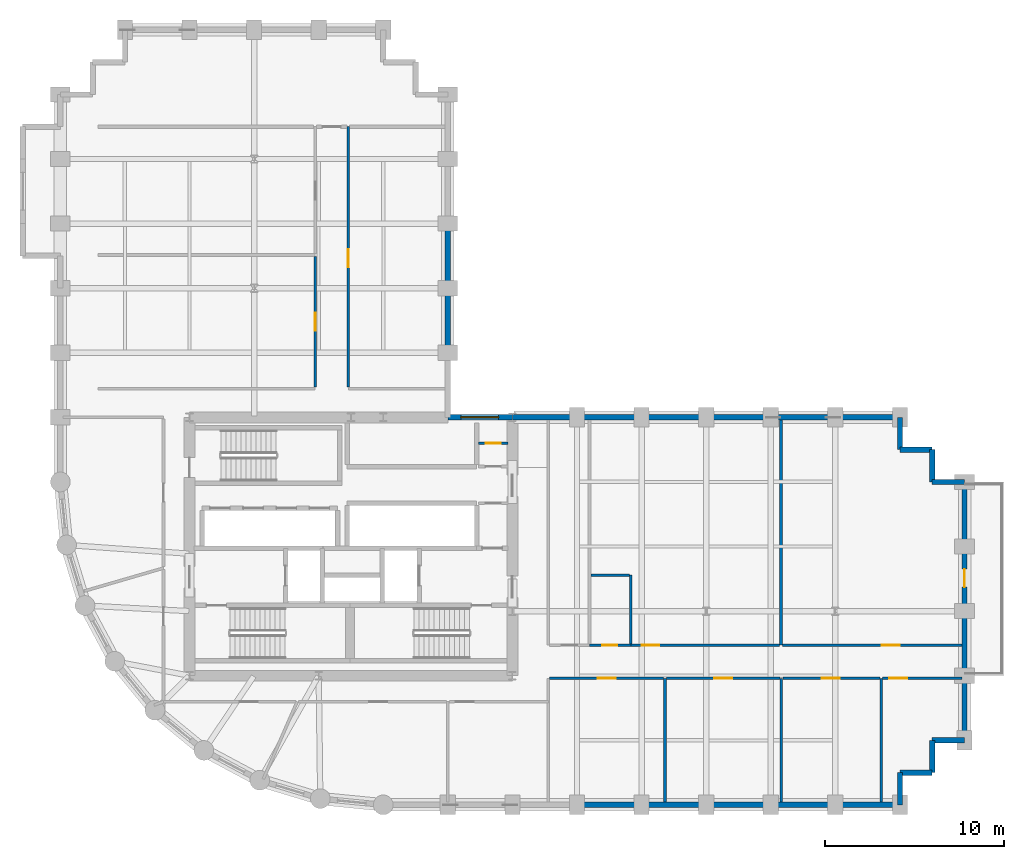
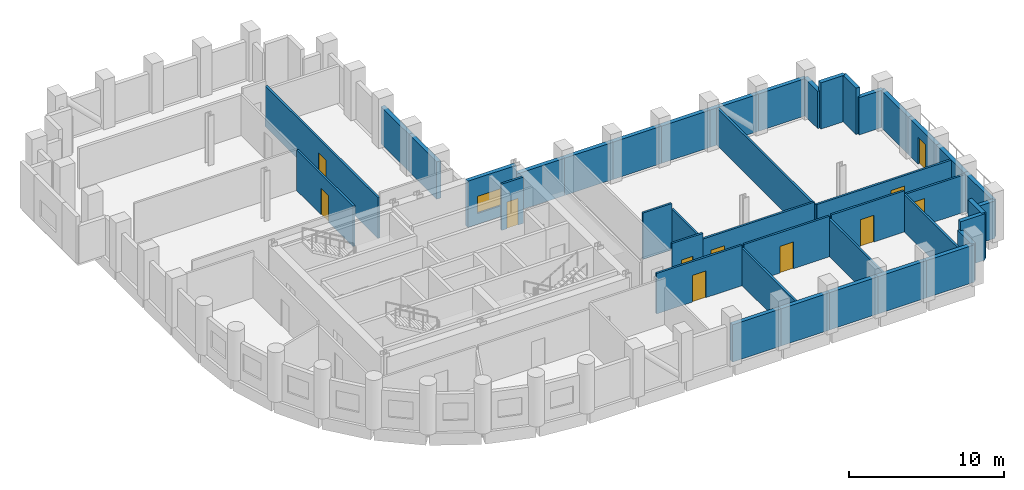
# One storey, part 5 of 8: 42 walls, 11 doors, 1 window, 12 openings.
"""IFC4 building model written with IfcOpenShell, lengths in metres."""

from ifc_helpers import new_model, si_unit, direction, frame, frame_2d, origin, place, context, subcontext, project, spatial, rectangle, extrude, material, layer, layer_set, type_object, element, fill, save


model = new_model("IFC4")

# Units and contexts
model_context = context("Model", 3, precision=1e-05, world=origin(), true_north=direction((0.0, 1.0)))
body_context = subcontext(model_context, "Body", "Model", "MODEL_VIEW")
ifc_project = project(units=[si_unit("LENGTHUNIT", "METRE"), si_unit("AREAUNIT", "SQUARE_METRE"), si_unit("VOLUMEUNIT", "CUBIC_METRE"), si_unit("PLANEANGLEUNIT", "RADIAN"), si_unit("MASSUNIT", "GRAM", prefix="KILO")], contexts=[model_context])

# Site, building, storey
site_placement = place(None, origin())
site = spatial("IfcSite", under=ifc_project, at=site_placement, CompositionType="ELEMENT")
building_placement = place(site_placement, origin())
building = spatial("IfcBuilding", under=site, at=building_placement, Name="Solnavia Interchange Tower", CompositionType="ELEMENT")
storey_placement = place(building_placement, frame((0.0, 0.0, 84.0)))
storey = spatial("IfcBuildingStorey", under=building, at=storey_placement, Name="L20", CompositionType="ELEMENT", Elevation=84.0)

# Walls
ifc_material_1 = material(Name="Concrete C40/50", Category="concrete")
ifc_layer_1 = layer(ifc_material_1, 0.300048828125)
ifc_layer_set_1 = layer_set([ifc_layer_1], Name="Concrete C40/50")
wall_type_1 = type_object("IfcWallType", Name="Wall-ExtSpandrel-300", PredefinedType="STANDARD", material=ifc_layer_set_1)
wall_1_placement = place(storey_placement, frame((39.60009765625, 3.60009765625, 0.0), z_axis=(0.0, 0.0, 1.0), x_axis=(-1.0, 0.0, 0.0)))
element("IfcWall", 1, at=wall_1_placement, inside=storey, type_object=wall_type_1, Name="EXW-L20-04 Exterior precast spandrel wall", PredefinedType="STANDARD", context=body_context, shape_type="SweptSolid", body=[
    extrude(rectangle(XDim=3.60009765625, YDim=0.300048828125, at=frame_2d((1.800048828125, 0.0))), origin(), (0.0, 0.0, 1.0), 2.929931640625),
])
wall_2_placement = place(storey_placement, frame((43.199951171875, 3.60009765625, 0.0), z_axis=(0.0, 0.0, 1.0), x_axis=(-1.0, 0.0, 0.0)))
element("IfcWall", 2, at=wall_2_placement, inside=storey, type_object=wall_type_1, Name="EXW-L20-05 Exterior precast spandrel wall", PredefinedType="STANDARD", context=body_context, shape_type="SweptSolid", body=[
    extrude(rectangle(XDim=3.599853515625, YDim=0.300048828125, at=frame_2d((1.7998046875, 0.0))), origin(), (0.0, 0.0, 1.0), 2.929931640625),
])
wall_3_placement = place(storey_placement, frame((46.800048828125, 3.60009765625, 0.0), z_axis=(0.0, 0.0, 1.0), x_axis=(-1.0, 0.0, 0.0)))
element("IfcWall", 3, at=wall_3_placement, inside=storey, type_object=wall_type_1, Name="EXW-L20-06 Exterior precast spandrel wall", PredefinedType="STANDARD", context=body_context, shape_type="SweptSolid", body=[
    extrude(rectangle(XDim=3.60009765625, YDim=0.300048828125, at=frame_2d((1.800048828125, 0.0))), origin(), (0.0, 0.0, 1.0), 2.929931640625),
])
wall_4_placement = place(storey_placement, frame((50.39990234375, 3.60009765625, 0.0), z_axis=(0.0, 0.0, 1.0), x_axis=(-1.0, 0.0, 0.0)))
element("IfcWall", 4, at=wall_4_placement, inside=storey, type_object=wall_type_1, Name="EXW-L20-07 Exterior precast spandrel wall", PredefinedType="STANDARD", context=body_context, shape_type="SweptSolid", body=[
    extrude(rectangle(XDim=3.599853515625, YDim=0.300048828125, at=frame_2d((1.7998046875, 0.0))), origin(), (0.0, 0.0, 1.0), 2.929931640625),
])
wall_5_placement = place(storey_placement, frame((54.0, 3.60009765625, 0.0), z_axis=(0.0, 0.0, 1.0), x_axis=(-1.0, 0.0, 0.0)))
element("IfcWall", 5, at=wall_5_placement, inside=storey, type_object=wall_type_1, Name="EXW-L20-08 Exterior precast spandrel wall", PredefinedType="STANDARD", context=body_context, shape_type="SweptSolid", body=[
    extrude(rectangle(XDim=3.60009765625, YDim=0.300048828125, at=frame_2d((1.800048828125, 0.0))), origin(), (0.0, 0.0, 1.0), 2.929931640625),
])
wall_6_placement = place(storey_placement, frame((54.0, 5.39990234375, 0.0), z_axis=(0.0, 0.0, 1.0), x_axis=(0.0, -1.0, 0.0)))
element("IfcWall", 6, at=wall_6_placement, inside=storey, type_object=wall_type_1, Name="EXW-L20-09 Exterior precast spandrel wall", PredefinedType="STANDARD", context=body_context, shape_type="SweptSolid", body=[
    extrude(rectangle(XDim=1.7998046875, YDim=0.300048828125, at=frame_2d((0.89990234375, 0.0))), origin(), (0.0, 0.0, 1.0), 2.929931640625),
])
for number, where, z_axis, x_axis, name in (
    (7, (55.800048828125, 5.39990234375, 0.0), (0.0, 0.0, 1.0), (-1.0, 0.0, 0.0), "EXW-L20-10 Exterior precast spandrel wall"),
    (8, (55.800048828125, 7.199951171875, 0.0), (0.0, 0.0, 1.0), (0.0, -1.0, 0.0), "EXW-L20-11 Exterior precast spandrel wall"),
):
    element("IfcWall", number, at=place(storey_placement, frame(where, z_axis=z_axis, x_axis=x_axis)), inside=storey, type_object=wall_type_1, Name=name, PredefinedType="STANDARD", context=body_context, shape_type="SweptSolid", body=[
        extrude(rectangle(XDim=1.800048828125, YDim=0.300048828125, at=frame_2d((0.89990234375, 0.0))), origin(), (0.0, 0.0, 1.0), 3.635009765625),
    ])
wall_7_placement = place(storey_placement, frame((57.60009765625, 7.199951171875, 0.0), z_axis=(0.0, 0.0, 1.0), x_axis=(-1.0, 0.0, 0.0)))
element("IfcWall", 9, at=wall_7_placement, inside=storey, type_object=wall_type_1, Name="EXW-L20-12 Exterior precast spandrel wall", PredefinedType="STANDARD", context=body_context, shape_type="SweptSolid", body=[
    extrude(rectangle(XDim=1.800048828125, YDim=0.300048828125, at=frame_2d((0.89990234375, 0.0))), origin(), (0.0, 0.0, 1.0), 2.929931640625),
])
wall_8_placement = place(storey_placement, frame((57.60009765625, 10.800048828125, 0.0), z_axis=(0.0, 0.0, 1.0), x_axis=(0.0, -1.0, 0.0)))
element("IfcWall", 10, at=wall_8_placement, inside=storey, type_object=wall_type_1, Name="EXW-L20-13 Exterior precast spandrel wall", PredefinedType="STANDARD", context=body_context, shape_type="SweptSolid", body=[
    extrude(rectangle(XDim=3.60009765625, YDim=0.300048828125, at=frame_2d((1.800048828125, 0.0))), origin(), (0.0, 0.0, 1.0), 2.929931640625),
])
wall_9_placement = place(storey_placement, frame((57.60009765625, 14.39990234375, 0.0), z_axis=(0.0, 0.0, 1.0), x_axis=(0.0, -1.0, 0.0)))
element("IfcWall", 11, at=wall_9_placement, inside=storey, type_object=wall_type_1, Name="EXW-L20-14 Exterior precast spandrel wall", PredefinedType="STANDARD", context=body_context, shape_type="SweptSolid", body=[
    extrude(rectangle(XDim=3.599853515625, YDim=0.300048828125, at=frame_2d((1.7998046875, 0.0))), origin(), (0.0, 0.0, 1.0), 2.929931640625),
])

# Wall, opening, door
wall_10_placement = place(storey_placement, frame((57.60009765625, 18.0, 0.0), z_axis=(0.0, 0.0, 1.0), x_axis=(0.0, -1.0, 0.0)))
wall_10 = element("IfcWall", 12, at=wall_10_placement, inside=storey, type_object=wall_type_1, Name="EXW-L20-15 Exterior precast spandrel wall", PredefinedType="STANDARD", context=body_context, shape_type="SweptSolid", body=[
    extrude(rectangle(XDim=3.60009765625, YDim=0.300048828125, at=frame_2d((1.800048828125, 0.0))), origin(), (0.0, 0.0, 1.0), 2.929931640625),
])
opening_1_placement = place(wall_10_placement, frame((1.260986328125, 0.0, 0.0)))
opening_1 = element("IfcOpeningElement", 13, at=opening_1_placement, cuts=wall_10, Name="Opening EXD-05", PredefinedType="OPENING", context=body_context, shape_type="SweptSolid", body=[
    extrude(rectangle(XDim=1.0, YDim=2.10009765625, at=frame_2d((0.5, 1.050048828125))), frame((0.0, 0.16015625, 0.0), z_axis=(0.0, -1.0, 0.0), x_axis=(1.0, 0.0, 0.0)), (0.0, 0.0, 1.0), 0.320068359375),
])
ifc_material_2 = material(Name="Thermally Broken Aluminium & Laminated Glass", Category="aluminium")
door_type_1 = type_object("IfcDoorType", Name="Door-TerraceSingle-1000x2100", OperationType="SINGLE_SWING_LEFT", PredefinedType="DOOR", material=ifc_material_2)
door_1_placement = place(opening_1_placement, origin())
door_1 = element("IfcDoor", 14, at=door_1_placement, inside=storey, type_object=door_type_1, Name="EXD-L20-TER Spiral terrace glazed door", OperationType="SINGLE_SWING_LEFT", OverallHeight=2.10009765625, OverallWidth=1.0, PredefinedType="DOOR", context=body_context, shape_type="SweptSolid", body=[
    extrude(rectangle(XDim=1.0, YDim=2.10009765625, at=frame_2d((0.5, 1.050048828125))), frame((0.0, 0.02490234375, 0.0), z_axis=(0.0, -1.0, 0.0), x_axis=(1.0, 0.0, 0.0)), (0.0, 0.0, 1.0), 0.050048828125),
])
fill(opening_1, door_1)

# Walls
wall_11_placement = place(storey_placement, frame((57.60009765625, 21.60009765625, 0.0), z_axis=(0.0, 0.0, 1.0), x_axis=(0.0, -1.0, 0.0)))
element("IfcWall", 15, at=wall_11_placement, inside=storey, type_object=wall_type_1, Name="EXW-L20-16 Exterior precast spandrel wall", PredefinedType="STANDARD", context=body_context, shape_type="SweptSolid", body=[
    extrude(rectangle(XDim=3.60009765625, YDim=0.300048828125, at=frame_2d((1.800048828125, 0.0))), origin(), (0.0, 0.0, 1.0), 2.929931640625),
])
wall_12_placement = place(storey_placement, frame((55.800048828125, 21.60009765625, 0.0), z_axis=(0.0, 0.0, 1.0), x_axis=(1.0, 0.0, 0.0)))
element("IfcWall", 16, at=wall_12_placement, inside=storey, type_object=wall_type_1, Name="EXW-L20-17 Exterior precast spandrel wall", PredefinedType="STANDARD", context=body_context, shape_type="SweptSolid", body=[
    extrude(rectangle(XDim=1.800048828125, YDim=0.300048828125, at=frame_2d((0.89990234375, 0.0))), origin(), (0.0, 0.0, 1.0), 2.929931640625),
])
wall_13_placement = place(storey_placement, frame((55.800048828125, 23.39990234375, 0.0), z_axis=(0.0, 0.0, 1.0), x_axis=(0.0, -1.0, 0.0)))
element("IfcWall", 17, at=wall_13_placement, inside=storey, type_object=wall_type_1, Name="EXW-L20-18 Exterior precast spandrel wall", PredefinedType="STANDARD", context=body_context, shape_type="SweptSolid", body=[
    extrude(rectangle(XDim=1.7998046875, YDim=0.300048828125, at=frame_2d((0.89990234375, 0.0))), origin(), (0.0, 0.0, 1.0), 3.635009765625),
])
wall_14_placement = place(storey_placement, frame((54.0, 23.39990234375, 0.0), z_axis=(0.0, 0.0, 1.0), x_axis=(1.0, 0.0, 0.0)))
element("IfcWall", 18, at=wall_14_placement, inside=storey, type_object=wall_type_1, Name="EXW-L20-19 Exterior precast spandrel wall", PredefinedType="STANDARD", context=body_context, shape_type="SweptSolid", body=[
    extrude(rectangle(XDim=1.800048828125, YDim=0.300048828125, at=frame_2d((0.89990234375, 0.0))), origin(), (0.0, 0.0, 1.0), 3.635009765625),
])
wall_15_placement = place(storey_placement, frame((54.0, 25.199951171875, 0.0), z_axis=(0.0, 0.0, 1.0), x_axis=(0.0, -1.0, 0.0)))
element("IfcWall", 19, at=wall_15_placement, inside=storey, type_object=wall_type_1, Name="EXW-L20-20 Exterior precast spandrel wall", PredefinedType="STANDARD", context=body_context, shape_type="SweptSolid", body=[
    extrude(rectangle(XDim=1.800048828125, YDim=0.300048828125, at=frame_2d((0.89990234375, 0.0))), origin(), (0.0, 0.0, 1.0), 2.929931640625),
])
wall_16_placement = place(storey_placement, frame((50.39990234375, 25.199951171875, 0.0), z_axis=(0.0, 0.0, 1.0), x_axis=(1.0, 0.0, 0.0)))
element("IfcWall", 20, at=wall_16_placement, inside=storey, type_object=wall_type_1, Name="EXW-L20-21 Exterior precast spandrel wall", PredefinedType="STANDARD", context=body_context, shape_type="SweptSolid", body=[
    extrude(rectangle(XDim=3.60009765625, YDim=0.300048828125, at=frame_2d((1.800048828125, 0.0))), origin(), (0.0, 0.0, 1.0), 2.929931640625),
])
wall_17_placement = place(storey_placement, frame((46.800048828125, 25.199951171875, 0.0), z_axis=(0.0, 0.0, 1.0), x_axis=(1.0, 0.0, 0.0)))
element("IfcWall", 21, at=wall_17_placement, inside=storey, type_object=wall_type_1, Name="EXW-L20-22 Exterior precast spandrel wall", PredefinedType="STANDARD", context=body_context, shape_type="SweptSolid", body=[
    extrude(rectangle(XDim=3.599853515625, YDim=0.300048828125, at=frame_2d((1.7998046875, 0.0))), origin(), (0.0, 0.0, 1.0), 2.929931640625),
])
wall_18_placement = place(storey_placement, frame((43.199951171875, 25.199951171875, 0.0), z_axis=(0.0, 0.0, 1.0), x_axis=(1.0, 0.0, 0.0)))
element("IfcWall", 22, at=wall_18_placement, inside=storey, type_object=wall_type_1, Name="EXW-L20-23 Exterior precast spandrel wall", PredefinedType="STANDARD", context=body_context, shape_type="SweptSolid", body=[
    extrude(rectangle(XDim=3.60009765625, YDim=0.300048828125, at=frame_2d((1.800048828125, 0.0))), origin(), (0.0, 0.0, 1.0), 2.929931640625),
])
wall_19_placement = place(storey_placement, frame((39.60009765625, 25.199951171875, 0.0), z_axis=(0.0, 0.0, 1.0), x_axis=(1.0, 0.0, 0.0)))
element("IfcWall", 23, at=wall_19_placement, inside=storey, type_object=wall_type_1, Name="EXW-L20-24 Exterior precast spandrel wall", PredefinedType="STANDARD", context=body_context, shape_type="SweptSolid", body=[
    extrude(rectangle(XDim=3.599853515625, YDim=0.300048828125, at=frame_2d((1.7998046875, 0.0))), origin(), (0.0, 0.0, 1.0), 2.929931640625),
])
for number, where, z_axis, x_axis, name in (
    (24, (36.0, 25.199951171875, 0.0), (0.0, 0.0, 1.0), (1.0, 0.0, 0.0), "EXW-L20-25 Exterior precast spandrel wall"),
    (25, (32.39990234375, 25.199951171875, 0.0), (0.0, 0.0, 1.0), (1.0, 0.0, 0.0), "EXW-L20-26 Exterior precast spandrel wall"),
):
    element("IfcWall", number, at=place(storey_placement, frame(where, z_axis=z_axis, x_axis=x_axis)), inside=storey, type_object=wall_type_1, Name=name, PredefinedType="STANDARD", context=body_context, shape_type="SweptSolid", body=[
        extrude(rectangle(XDim=3.60009765625, YDim=0.300048828125, at=frame_2d((1.800048828125, 0.0))), origin(), (0.0, 0.0, 1.0), 2.929931640625),
    ])

# Wall, opening, window
wall_20_placement = place(storey_placement, frame((28.800048828125, 25.199951171875, 0.0), z_axis=(0.0, 0.0, 1.0), x_axis=(1.0, 0.0, 0.0)))
wall_20 = element("IfcWall", 26, at=wall_20_placement, inside=storey, type_object=wall_type_1, Name="EXW-L20-27 Exterior precast spandrel wall", PredefinedType="STANDARD", context=body_context, shape_type="SweptSolid", body=[
    extrude(rectangle(XDim=3.599853515625, YDim=0.300048828125, at=frame_2d((1.7998046875, 0.0))), origin(), (0.0, 0.0, 1.0), 3.635009765625),
])
opening_2_placement = place(wall_20_placement, frame((0.72802734375, 0.0, 0.85009765625)))
opening_2 = element("IfcOpeningElement", 27, at=opening_2_placement, cuts=wall_20, Name="Opening WIN-01", PredefinedType="OPENING", context=body_context, shape_type="SweptSolid", body=[
    extrude(rectangle(XDim=2.10009765625, YDim=1.35009765625, at=frame_2d((1.050048828125, 0.675048828125))), frame((0.0, 0.16015625, 0.0), z_axis=(0.0, -1.0, 0.0), x_axis=(1.0, 0.0, 0.0)), (0.0, 0.0, 1.0), 0.320068359375),
])
ifc_material_3 = material(Name="Thermal-Break Aluminium & Low-E Glass", Category="aluminium")
window_type = type_object("IfcWindowType", Name="Window-Ribbon-2100x1350", PartitioningType="SINGLE_PANEL", PredefinedType="WINDOW", material=ifc_material_3)
window_placement = place(opening_2_placement, origin())
window = element("IfcWindow", 28, at=window_placement, inside=storey, type_object=window_type, Name="WIN-L20-27 Facade ribbon window", OverallHeight=1.35009765625, OverallWidth=2.10009765625, PartitioningType="SINGLE_PANEL", PredefinedType="WINDOW", context=body_context, shape_type="SweptSolid", body=[
    extrude(rectangle(XDim=2.10009765625, YDim=1.35009765625, at=frame_2d((1.050048828125, 0.675048828125))), frame((0.0, 0.030029296875, 0.0), z_axis=(0.0, -1.0, 0.0), x_axis=(1.0, 0.0, 0.0)), (0.0, 0.0, 1.0), 0.06005859375),
])
fill(opening_2, window)

# Walls
wall_21_placement = place(storey_placement, frame((28.800048828125, 32.39990234375, 0.0), z_axis=(0.0, 0.0, 1.0), x_axis=(0.0, -1.0, 0.0)))
element("IfcWall", 29, at=wall_21_placement, inside=storey, type_object=wall_type_1, Name="EXW-L20-29 Exterior precast spandrel wall", PredefinedType="STANDARD", context=body_context, shape_type="SweptSolid", body=[
    extrude(rectangle(XDim=3.599853515625, YDim=0.300048828125, at=frame_2d((1.7998046875, 0.0))), origin(), (0.0, 0.0, 1.0), 2.929931640625),
])
wall_22_placement = place(storey_placement, frame((28.800048828125, 36.0, 0.0), z_axis=(0.0, 0.0, 1.0), x_axis=(0.0, -1.0, 0.0)))
element("IfcWall", 30, at=wall_22_placement, inside=storey, type_object=wall_type_1, Name="EXW-L20-30 Exterior precast spandrel wall", PredefinedType="STANDARD", context=body_context, shape_type="SweptSolid", body=[
    extrude(rectangle(XDim=3.60009765625, YDim=0.300048828125, at=frame_2d((1.800048828125, 0.0))), origin(), (0.0, 0.0, 1.0), 2.929931640625),
])

# Wall, opening, door
ifc_material_4 = material(Name="Gypsum Plasterboard & Steel Stud", Category="steel")
ifc_layer_2 = layer(ifc_material_4, 0.14990234375)
ifc_layer_set_2 = layer_set([ifc_layer_2], Name="Gypsum Plasterboard & Steel Stud")
wall_type_2 = type_object("IfcWallType", Name="Wall-Partition-150", PredefinedType="PARTITIONING", material=ifc_layer_set_2)
wall_23_placement = place(storey_placement, frame((30.52001953125, 23.75, 0.0), z_axis=(0.0, 0.0, 1.0), x_axis=(1.0, 0.0, 0.0)))
wall_23 = element("IfcWall", 31, at=wall_23_placement, inside=storey, type_object=wall_type_2, Name="CSW-L20-NE-M Core shaft wall", PredefinedType="PARTITIONING", context=body_context, shape_type="SweptSolid", body=[
    extrude(rectangle(XDim=1.6298828125, YDim=0.14990234375, at=frame_2d((0.81494140625, 0.0))), origin(), (0.0, 0.0, 1.0), 3.635009765625),
])
opening_3_placement = place(wall_23_placement, frame((0.3798828125, 0.0, 0.0)))
opening_3 = element("IfcOpeningElement", 32, at=opening_3_placement, cuts=wall_23, Name="Opening DR-10", PredefinedType="OPENING", context=body_context, shape_type="SweptSolid", body=[
    extrude(rectangle(XDim=0.85009765625, YDim=2.10009765625, at=frame_2d((0.425048828125, 1.050048828125))), frame((0.0, 0.0849609375, 0.0), z_axis=(0.0, -1.0, 0.0), x_axis=(1.0, 0.0, 0.0)), (0.0, 0.0, 1.0), 0.169921875),
])
ifc_material_5 = material(Name="Moisture-Resistant Timber Door", Category="wood")
door_type_2 = type_object("IfcDoorType", Name="Door-Bathroom-850x2100", OperationType="SINGLE_SWING_RIGHT", PredefinedType="DOOR", material=ifc_material_5)
door_2_placement = place(opening_3_placement, origin())
door_2 = element("IfcDoor", 33, at=door_2_placement, inside=storey, type_object=door_type_2, Name="DR-L20-CNE2 Core fire door", OperationType="SINGLE_SWING_LEFT", OverallHeight=2.10009765625, OverallWidth=0.85009765625, PredefinedType="DOOR", context=body_context, shape_type="SweptSolid", body=[
    extrude(rectangle(XDim=0.85009765625, YDim=2.10009765625, at=frame_2d((0.425048828125, 1.050048828125))), frame((0.0, 0.02490234375, 0.0), z_axis=(0.0, -1.0, 0.0), x_axis=(1.0, 0.0, 0.0)), (0.0, 0.0, 1.0), 0.050048828125),
])
fill(opening_3, door_2)

# Wall
wall_24_placement = place(storey_placement, frame((40.89990234375, 3.75390625, 0.0), z_axis=(0.0, 0.0, 1.0), x_axis=(0.0, 1.0, 0.0)))
element("IfcWall", 34, at=wall_24_placement, inside=storey, type_object=wall_type_2, Name="PTW-L20-18 Interior partition wall", PredefinedType="PARTITIONING", context=body_context, shape_type="SweptSolid", body=[
    extrude(rectangle(XDim=6.89599609375, YDim=0.14990234375, at=frame_2d((3.447998046875, 0.0))), origin(), (0.0, 0.0, 1.0), 2.929931640625),
])

# Wall, opening, door
wall_25_placement = place(storey_placement, frame((34.47900390625, 10.64990234375, 0.0), z_axis=(0.0, 0.0, 1.0), x_axis=(1.0, 0.0, 0.0)))
wall_25 = element("IfcWall", 35, at=wall_25_placement, inside=storey, type_object=wall_type_2, Name="PTW-L20-19 Interior partition wall", PredefinedType="PARTITIONING", context=body_context, shape_type="SweptSolid", body=[
    extrude(rectangle(XDim=6.342041015625, YDim=0.14990234375, at=frame_2d((3.1708984375, 0.0))), origin(), (0.0, 0.0, 1.0), 3.179931640625),
])
opening_4_placement = place(wall_25_placement, frame((2.6708984375, 0.0, 0.0)))
opening_4 = element("IfcOpeningElement", 36, at=opening_4_placement, cuts=wall_25, Name="Opening DR-07", PredefinedType="OPENING", context=body_context, shape_type="SweptSolid", body=[
    extrude(rectangle(XDim=1.0, YDim=2.10009765625, at=frame_2d((0.5, 1.050048828125))), frame((0.0, 0.0849609375, 0.0), z_axis=(0.0, -1.0, 0.0), x_axis=(1.0, 0.0, 0.0)), (0.0, 0.0, 1.0), 0.169921875),
])
ifc_material_6 = material(Name="Timber & Acoustic Glazed Office Door", Category="wood")
door_type_3 = type_object("IfcDoorType", Name="Door-Office-1000x2100", OperationType="SINGLE_SWING_RIGHT", PredefinedType="DOOR", material=ifc_material_6)
door_3_placement = place(opening_4_placement, origin())
door_3 = element("IfcDoor", 37, at=door_3_placement, inside=storey, type_object=door_type_3, Name="DR-L20-08 Interior room door", OperationType="SINGLE_SWING_LEFT", OverallHeight=2.10009765625, OverallWidth=1.0, PredefinedType="DOOR", context=body_context, shape_type="SweptSolid", body=[
    extrude(rectangle(XDim=1.0, YDim=2.10009765625, at=frame_2d((0.5, 1.050048828125))), frame((0.0, 0.02490234375, 0.0), z_axis=(0.0, -1.0, 0.0), x_axis=(1.0, 0.0, 0.0)), (0.0, 0.0, 1.0), 0.050048828125),
])
fill(opening_4, door_3)

# Wall
wall_26_placement = place(storey_placement, frame((47.389892578125, 3.75390625, 0.0), z_axis=(0.0, 0.0, 1.0), x_axis=(0.0, 1.0, 0.0)))
element("IfcWall", 38, at=wall_26_placement, inside=storey, type_object=wall_type_2, Name="PTW-L20-20 Interior partition wall", PredefinedType="PARTITIONING", context=body_context, shape_type="SweptSolid", body=[
    extrude(rectangle(XDim=6.89599609375, YDim=0.14990234375, at=frame_2d((3.447998046875, 0.0))), origin(), (0.0, 0.0, 1.0), 2.929931640625),
])

# Wall, opening, door
wall_27_placement = place(storey_placement, frame((40.97900390625, 10.64990234375, 0.0), z_axis=(0.0, 0.0, 1.0), x_axis=(1.0, 0.0, 0.0)))
wall_27 = element("IfcWall", 39, at=wall_27_placement, inside=storey, type_object=wall_type_2, Name="PTW-L20-21 Interior partition wall", PredefinedType="PARTITIONING", context=body_context, shape_type="SweptSolid", body=[
    extrude(rectangle(XDim=6.33203125, YDim=0.14990234375, at=frame_2d((3.166015625, 0.0))), origin(), (0.0, 0.0, 1.0), 3.179931640625),
])
opening_5_placement = place(wall_27_placement, frame((2.666015625, 0.0, 0.0)))
opening_5 = element("IfcOpeningElement", 40, at=opening_5_placement, cuts=wall_27, Name="Opening DR-07", PredefinedType="OPENING", context=body_context, shape_type="SweptSolid", body=[
    extrude(rectangle(XDim=1.0, YDim=2.10009765625, at=frame_2d((0.5, 1.050048828125))), frame((0.0, 0.0849609375, 0.0), z_axis=(0.0, -1.0, 0.0), x_axis=(1.0, 0.0, 0.0)), (0.0, 0.0, 1.0), 0.169921875),
])
door_4_placement = place(opening_5_placement, origin())
door_4 = element("IfcDoor", 41, at=door_4_placement, inside=storey, type_object=door_type_3, Name="DR-L20-09 Interior room door", OperationType="SINGLE_SWING_RIGHT", OverallHeight=2.10009765625, OverallWidth=1.0, PredefinedType="DOOR", context=body_context, shape_type="SweptSolid", body=[
    extrude(rectangle(XDim=1.0, YDim=2.10009765625, at=frame_2d((0.5, 1.050048828125))), frame((0.0, 0.02490234375, 0.0), z_axis=(0.0, -1.0, 0.0), x_axis=(1.0, 0.0, 0.0)), (0.0, 0.0, 1.0), 0.050048828125),
])
fill(opening_5, door_4)

# Wall
wall_28_placement = place(storey_placement, frame((52.9599609375, 3.75390625, 0.0), z_axis=(0.0, 0.0, 1.0), x_axis=(0.0, 1.0, 0.0)))
element("IfcWall", 42, at=wall_28_placement, inside=storey, type_object=wall_type_2, Name="PTW-L20-22 Interior partition wall", PredefinedType="PARTITIONING", context=body_context, shape_type="SweptSolid", body=[
    extrude(rectangle(XDim=6.89599609375, YDim=0.14990234375, at=frame_2d((3.447998046875, 0.0))), origin(), (0.0, 0.0, 1.0), 2.929931640625),
])

# Wall, opening, door
wall_29_placement = place(storey_placement, frame((47.468994140625, 10.64990234375, 0.0), z_axis=(0.0, 0.0, 1.0), x_axis=(1.0, 0.0, 0.0)))
wall_29 = element("IfcWall", 43, at=wall_29_placement, inside=storey, type_object=wall_type_2, Name="PTW-L20-23 Interior partition wall", PredefinedType="PARTITIONING", context=body_context, shape_type="SweptSolid", body=[
    extrude(rectangle(XDim=5.412109375, YDim=0.14990234375, at=frame_2d((2.7060546875, 0.0))), origin(), (0.0, 0.0, 1.0), 3.22998046875),
])
opening_6_placement = place(wall_29_placement, frame((2.1669921875, 0.0, 0.0)))
opening_6 = element("IfcOpeningElement", 44, at=opening_6_placement, cuts=wall_29, Name="Opening DR-07", PredefinedType="OPENING", context=body_context, shape_type="SweptSolid", body=[
    extrude(rectangle(XDim=1.0, YDim=2.10009765625, at=frame_2d((0.5, 1.050048828125))), frame((0.0, 0.0849609375, 0.0), z_axis=(0.0, -1.0, 0.0), x_axis=(1.0, 0.0, 0.0)), (0.0, 0.0, 1.0), 0.169921875),
])
door_5_placement = place(opening_6_placement, origin())
door_5 = element("IfcDoor", 45, at=door_5_placement, inside=storey, type_object=door_type_3, Name="DR-L20-10 Interior room door", OperationType="SINGLE_SWING_LEFT", OverallHeight=2.10009765625, OverallWidth=1.0, PredefinedType="DOOR", context=body_context, shape_type="SweptSolid", body=[
    extrude(rectangle(XDim=1.0, YDim=2.10009765625, at=frame_2d((0.5, 1.050048828125))), frame((0.0, 0.02490234375, 0.0), z_axis=(0.0, -1.0, 0.0), x_axis=(1.0, 0.0, 0.0)), (0.0, 0.0, 1.0), 0.050048828125),
])
fill(opening_6, door_5)

wall_30_placement = place(storey_placement, frame((53.0390625, 10.64990234375, 0.0), z_axis=(0.0, 0.0, 1.0), x_axis=(1.0, 0.0, 0.0)))
wall_30 = element("IfcWall", 46, at=wall_30_placement, inside=storey, type_object=wall_type_2, Name="PTW-L20-24 Interior partition wall", PredefinedType="PARTITIONING", context=body_context, shape_type="SweptSolid", body=[
    extrude(rectangle(XDim=4.406982421875, YDim=0.14990234375, at=frame_2d((2.20361328125, 0.0))), origin(), (0.0, 0.0, 1.0), 2.929931640625),
])
opening_7_placement = place(wall_30_placement, frame((0.360107421875, 0.0, 0.0)))
opening_7 = element("IfcOpeningElement", 47, at=opening_7_placement, cuts=wall_30, Name="Opening DR-07", PredefinedType="OPENING", context=body_context, shape_type="SweptSolid", body=[
    extrude(rectangle(XDim=1.0, YDim=2.10009765625, at=frame_2d((0.5, 1.050048828125))), frame((0.0, 0.0849609375, 0.0), z_axis=(0.0, -1.0, 0.0), x_axis=(1.0, 0.0, 0.0)), (0.0, 0.0, 1.0), 0.169921875),
])
door_6_placement = place(opening_7_placement, origin())
door_6 = element("IfcDoor", 48, at=door_6_placement, inside=storey, type_object=door_type_3, Name="DR-L20-11 Interior room door", OperationType="SINGLE_SWING_RIGHT", OverallHeight=2.10009765625, OverallWidth=1.0, PredefinedType="DOOR", context=body_context, shape_type="SweptSolid", body=[
    extrude(rectangle(XDim=1.0, YDim=2.10009765625, at=frame_2d((0.5, 1.050048828125))), frame((0.0, 0.02490234375, 0.0), z_axis=(0.0, -1.0, 0.0), x_axis=(1.0, 0.0, 0.0)), (0.0, 0.0, 1.0), 0.050048828125),
])
fill(opening_7, door_6)

# Wall
wall_31_placement = place(storey_placement, frame((47.3701171875, 12.5, 0.0), z_axis=(0.0, 0.0, 1.0), x_axis=(0.0, 1.0, 0.0)))
element("IfcWall", 49, at=wall_31_placement, inside=storey, type_object=wall_type_2, Name="PTW-L20-25 Interior partition wall", PredefinedType="PARTITIONING", context=body_context, shape_type="SweptSolid", body=[
    extrude(rectangle(XDim=12.5458984375, YDim=0.14990234375, at=frame_2d((6.27294921875, 0.0))), origin(), (0.0, 0.0, 1.0), 2.929931640625),
])

# Wall, opening, door
wall_32_placement = place(storey_placement, frame((39.0, 12.5, 0.0), z_axis=(0.0, 0.0, 1.0), x_axis=(1.0, 0.0, 0.0)))
wall_32 = element("IfcWall", 50, at=wall_32_placement, inside=storey, type_object=wall_type_2, Name="PTW-L20-26 Interior partition wall", PredefinedType="PARTITIONING", context=body_context, shape_type="SweptSolid", body=[
    extrude(rectangle(XDim=8.291015625, YDim=0.14990234375, at=frame_2d((4.1455078125, 0.0))), origin(), (0.0, 0.0, 1.0), 3.18994140625),
])
opening_8_placement = place(wall_32_placement, frame((0.596923828125, 0.0, 0.0)))
opening_8 = element("IfcOpeningElement", 51, at=opening_8_placement, cuts=wall_32, Name="Opening DR-07", PredefinedType="OPENING", context=body_context, shape_type="SweptSolid", body=[
    extrude(rectangle(XDim=1.0, YDim=2.10009765625, at=frame_2d((0.5, 1.050048828125))), frame((0.0, 0.0849609375, 0.0), z_axis=(0.0, -1.0, 0.0), x_axis=(1.0, 0.0, 0.0)), (0.0, 0.0, 1.0), 0.169921875),
])
door_7_placement = place(opening_8_placement, origin())
door_7 = element("IfcDoor", 52, at=door_7_placement, inside=storey, type_object=door_type_3, Name="DR-L20-12 Interior room door", OperationType="SINGLE_SWING_RIGHT", OverallHeight=2.10009765625, OverallWidth=1.0, PredefinedType="DOOR", context=body_context, shape_type="SweptSolid", body=[
    extrude(rectangle(XDim=1.0, YDim=2.10009765625, at=frame_2d((0.5, 1.050048828125))), frame((0.0, 0.02490234375, 0.0), z_axis=(0.0, -1.0, 0.0), x_axis=(1.0, 0.0, 0.0)), (0.0, 0.0, 1.0), 0.050048828125),
])
fill(opening_8, door_7)

wall_33_placement = place(storey_placement, frame((47.448974609375, 12.5, 0.0), z_axis=(0.0, 0.0, 1.0), x_axis=(1.0, 0.0, 0.0)))
wall_33 = element("IfcWall", 53, at=wall_33_placement, inside=storey, type_object=wall_type_2, Name="PTW-L20-27 Interior partition wall", PredefinedType="PARTITIONING", context=body_context, shape_type="SweptSolid", body=[
    extrude(rectangle(XDim=9.9970703125, YDim=0.14990234375, at=frame_2d((4.99853515625, 0.0))), origin(), (0.0, 0.0, 1.0), 2.929931640625),
])
opening_9_placement = place(wall_33_placement, frame((5.530029296875, 0.0, 0.0)))
opening_9 = element("IfcOpeningElement", 54, at=opening_9_placement, cuts=wall_33, Name="Opening DR-07", PredefinedType="OPENING", context=body_context, shape_type="SweptSolid", body=[
    extrude(rectangle(XDim=1.0, YDim=2.10009765625, at=frame_2d((0.5, 1.050048828125))), frame((0.0, 0.0849609375, 0.0), z_axis=(0.0, -1.0, 0.0), x_axis=(1.0, 0.0, 0.0)), (0.0, 0.0, 1.0), 0.169921875),
])
door_8_placement = place(opening_9_placement, origin())
door_8 = element("IfcDoor", 55, at=door_8_placement, inside=storey, type_object=door_type_3, Name="DR-L20-13 Interior room door", OperationType="SINGLE_SWING_RIGHT", OverallHeight=2.10009765625, OverallWidth=1.0, PredefinedType="DOOR", context=body_context, shape_type="SweptSolid", body=[
    extrude(rectangle(XDim=1.0, YDim=2.10009765625, at=frame_2d((0.5, 1.050048828125))), frame((0.0, 0.02490234375, 0.0), z_axis=(0.0, -1.0, 0.0), x_axis=(1.0, 0.0, 0.0)), (0.0, 0.0, 1.0), 0.050048828125),
])
fill(opening_9, door_8)

wall_34_placement = place(storey_placement, frame((21.39990234375, 26.87890625, 0.0), z_axis=(0.0, 0.0, 1.0), x_axis=(0.0, 1.0, 0.0)))
wall_34 = element("IfcWall", 56, at=wall_34_placement, inside=storey, type_object=wall_type_2, Name="PTW-L20-30 Interior partition wall", PredefinedType="PARTITIONING", context=body_context, shape_type="SweptSolid", body=[
    extrude(rectangle(XDim=7.2919921875, YDim=0.14990234375, at=frame_2d((3.64599609375, 0.0))), origin(), (0.0, 0.0, 1.0), 3.18994140625),
])
opening_10_placement = place(wall_34_placement, frame((3.14599609375, 0.0, 0.0)))
opening_10 = element("IfcOpeningElement", 57, at=opening_10_placement, cuts=wall_34, Name="Opening DR-07", PredefinedType="OPENING", context=body_context, shape_type="SweptSolid", body=[
    extrude(rectangle(XDim=1.0, YDim=2.10009765625, at=frame_2d((0.5, 1.050048828125))), frame((0.0, 0.0849609375, 0.0), z_axis=(0.0, -1.0, 0.0), x_axis=(1.0, 0.0, 0.0)), (0.0, 0.0, 1.0), 0.169921875),
])
door_9_placement = place(opening_10_placement, origin())
door_9 = element("IfcDoor", 58, at=door_9_placement, inside=storey, type_object=door_type_3, Name="DR-L20-14 Interior room door", OperationType="SINGLE_SWING_RIGHT", OverallHeight=2.10009765625, OverallWidth=1.0, PredefinedType="DOOR", context=body_context, shape_type="SweptSolid", body=[
    extrude(rectangle(XDim=1.0, YDim=2.10009765625, at=frame_2d((0.5, 1.050048828125))), frame((0.0, 0.02490234375, 0.0), z_axis=(0.0, -1.0, 0.0), x_axis=(1.0, 0.0, 0.0)), (0.0, 0.0, 1.0), 0.050048828125),
])
fill(opening_10, door_9)

wall_35_placement = place(storey_placement, frame((23.25, 26.87890625, 0.0), z_axis=(0.0, 0.0, 1.0), x_axis=(0.0, 1.0, 0.0)))
wall_35 = element("IfcWall", 59, at=wall_35_placement, inside=storey, type_object=wall_type_2, Name="PTW-L20-33 Interior partition wall", PredefinedType="PARTITIONING", context=body_context, shape_type="SweptSolid", body=[
    extrude(rectangle(XDim=14.52099609375, YDim=0.14990234375, at=frame_2d((7.260498046875, 0.0))), origin(), (0.0, 0.0, 1.0), 3.18994140625),
])
opening_11_placement = place(wall_35_placement, frame((6.680908203125, 0.0, 0.0)))
opening_11 = element("IfcOpeningElement", 60, at=opening_11_placement, cuts=wall_35, Name="Opening DR-07", PredefinedType="OPENING", context=body_context, shape_type="SweptSolid", body=[
    extrude(rectangle(XDim=1.0, YDim=2.10009765625, at=frame_2d((0.5, 1.050048828125))), frame((0.0, 0.0849609375, 0.0), z_axis=(0.0, -1.0, 0.0), x_axis=(1.0, 0.0, 0.0)), (0.0, 0.0, 1.0), 0.169921875),
])
door_10_placement = place(opening_11_placement, origin())
door_10 = element("IfcDoor", 61, at=door_10_placement, inside=storey, type_object=door_type_3, Name="DR-L20-16 Interior room door", OperationType="SINGLE_SWING_LEFT", OverallHeight=2.10009765625, OverallWidth=1.0, PredefinedType="DOOR", context=body_context, shape_type="SweptSolid", body=[
    extrude(rectangle(XDim=1.0, YDim=2.10009765625, at=frame_2d((0.5, 1.050048828125))), frame((0.0, 0.02490234375, 0.0), z_axis=(0.0, -1.0, 0.0), x_axis=(1.0, 0.0, 0.0)), (0.0, 0.0, 1.0), 0.050048828125),
])
fill(opening_11, door_10)

ifc_material_7 = material(Name="Moisture-Resistant Gypsum & Steel Stud", Category="steel")
ifc_layer_3 = layer(ifc_material_7, 0.14990234375)
ifc_layer_set_3 = layer_set([ifc_layer_3], Name="Moisture-Resistant Gypsum & Steel Stud")
wall_type_3 = type_object("IfcWallType", Name="Wall-WetRoom-150", PredefinedType="PARTITIONING", material=ifc_layer_set_3)
wall_36_placement = place(storey_placement, frame((36.699951171875, 12.5, 0.0), z_axis=(0.0, 0.0, 1.0), x_axis=(1.0, 0.0, 0.0)))
wall_36 = element("IfcWall", 62, at=wall_36_placement, inside=storey, type_object=wall_type_3, Name="PTW-L20-04 Interior partition wall", PredefinedType="PARTITIONING", context=body_context, shape_type="SweptSolid", body=[
    extrude(rectangle(XDim=2.300048828125, YDim=0.14990234375, at=frame_2d((1.14990234375, 0.0))), origin(), (0.0, 0.0, 1.0), 3.635009765625),
])
opening_12_placement = place(wall_36_placement, frame((0.697021484375, 0.0, 0.0)))
opening_12 = element("IfcOpeningElement", 63, at=opening_12_placement, cuts=wall_36, Name="Opening DR-10", PredefinedType="OPENING", context=body_context, shape_type="SweptSolid", body=[
    extrude(rectangle(XDim=0.85009765625, YDim=2.10009765625, at=frame_2d((0.425048828125, 1.050048828125))), frame((0.0, 0.0849609375, 0.0), z_axis=(0.0, -1.0, 0.0), x_axis=(1.0, 0.0, 0.0)), (0.0, 0.0, 1.0), 0.169921875),
])
door_11_placement = place(opening_12_placement, origin())
door_11 = element("IfcDoor", 64, at=door_11_placement, inside=storey, type_object=door_type_2, Name="DR-L20-02 Interior room door", OperationType="SINGLE_SWING_RIGHT", OverallHeight=2.10009765625, OverallWidth=0.85009765625, PredefinedType="DOOR", context=body_context, shape_type="SweptSolid", body=[
    extrude(rectangle(XDim=0.85009765625, YDim=2.10009765625, at=frame_2d((0.425048828125, 1.050048828125))), frame((0.0, 0.02490234375, 0.0), z_axis=(0.0, -1.0, 0.0), x_axis=(1.0, 0.0, 0.0)), (0.0, 0.0, 1.0), 0.050048828125),
])
fill(opening_12, door_11)

# Walls
wall_37_placement = place(storey_placement, frame((39.0, 12.5791015625, 0.0), z_axis=(0.0, 0.0, 1.0), x_axis=(0.0, 1.0, 0.0)))
element("IfcWall", 65, at=wall_37_placement, inside=storey, type_object=wall_type_3, Name="PTW-L20-05 Interior partition wall", PredefinedType="PARTITIONING", context=body_context, shape_type="SweptSolid", body=[
    extrude(rectangle(XDim=3.82080078125, YDim=0.14990234375, at=frame_2d((1.910400390625, 0.0))), origin(), (0.0, 0.0, 1.0), 3.179931640625),
])
wall_38_placement = place(storey_placement, frame((36.779052734375, 16.39990234375, 0.0), z_axis=(0.0, 0.0, 1.0), x_axis=(1.0, 0.0, 0.0)))
element("IfcWall", 66, at=wall_38_placement, inside=storey, type_object=wall_type_3, Name="PTW-L20-06 Interior partition wall", PredefinedType="PARTITIONING", context=body_context, shape_type="SweptSolid", body=[
    extrude(rectangle(XDim=2.141845703125, YDim=0.14990234375, at=frame_2d((1.07080078125, 0.0))), origin(), (0.0, 0.0, 1.0), 3.635009765625),
])

save(model, "model.ifc")
